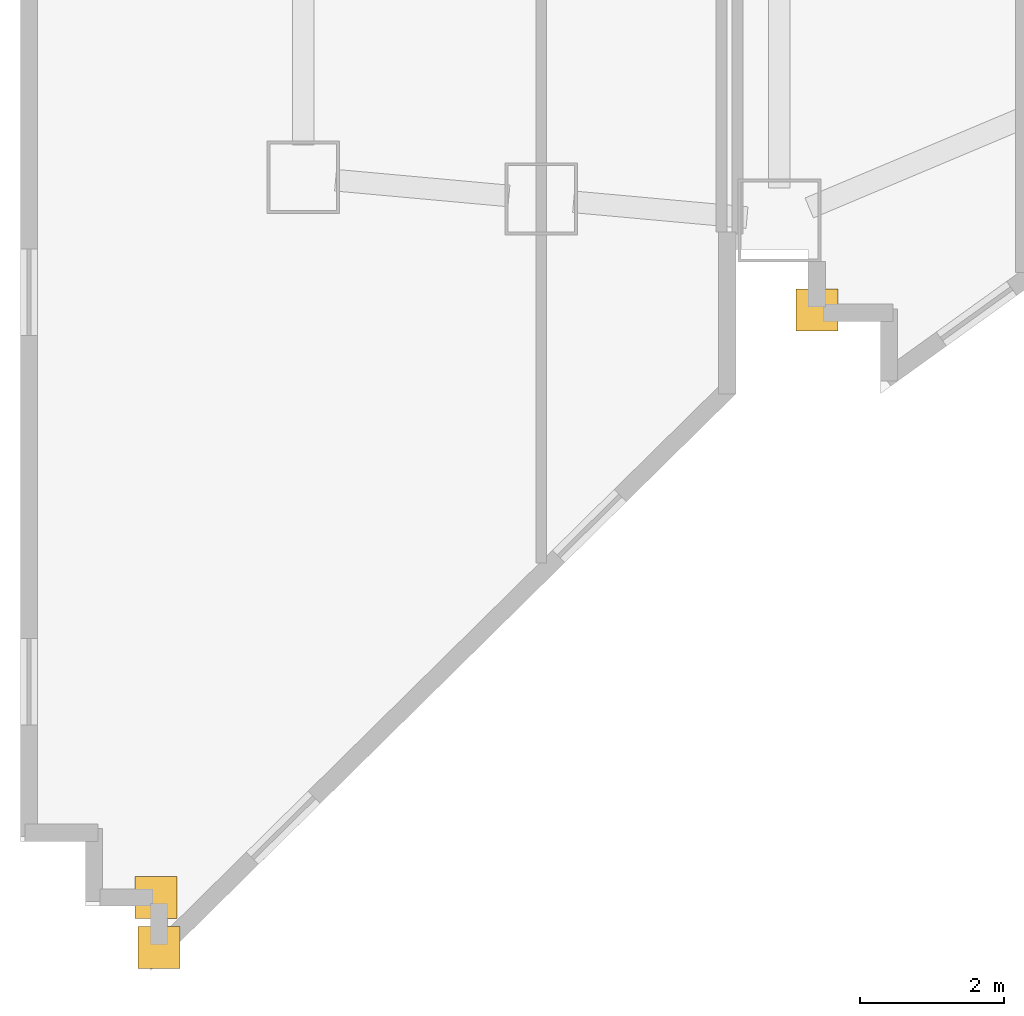
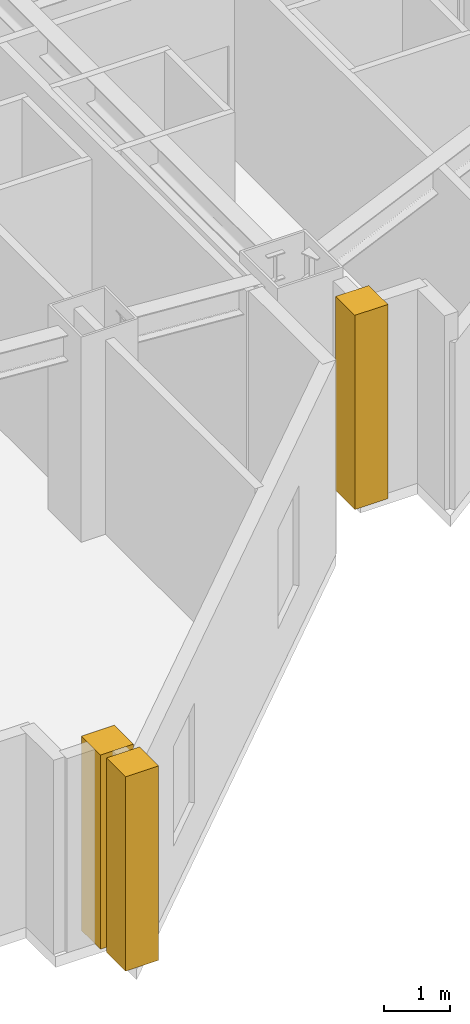
# One storey, part 12 of 16: 3 coverings.
"""IFC4 building model written with IfcOpenShell, lengths in metres."""

from ifc_helpers import new_model, si_unit, direction, frame, origin, origin_2d, place, context, subcontext, project, spatial, rectangle, extrude, material, layer, layer_set, type_object, element, save


model = new_model("IFC4")

# Units and contexts
model_context = context("Model", 3, precision=1e-05, world=origin(), true_north=direction((0.0, 1.0)))
body_context = subcontext(model_context, "Body", "Model", "MODEL_VIEW")
ifc_project = project(units=[si_unit("LENGTHUNIT", "METRE"), si_unit("AREAUNIT", "SQUARE_METRE"), si_unit("VOLUMEUNIT", "CUBIC_METRE"), si_unit("PLANEANGLEUNIT", "RADIAN"), si_unit("MASSUNIT", "GRAM", prefix="KILO")], contexts=[model_context])

# Site, building, storey
site_placement = place(None, origin())
site = spatial("IfcSite", under=ifc_project, at=site_placement, CompositionType="ELEMENT")
building_placement = place(site_placement, origin())
building = spatial("IfcBuilding", under=site, at=building_placement, Name="Haolan Belvedere Tower", CompositionType="ELEMENT")
storey_placement = place(building_placement, frame((0.0, 0.0, 47.60009765625)))
storey = spatial("IfcBuildingStorey", under=building, at=storey_placement, Name="L11", CompositionType="ELEMENT", Elevation=47.60009765625)

# Coverings
ifc_material = material(Name="Pale champagne-silver anodised aluminium rainscreen cladding", Category="aluminium")
ifc_layer = layer(ifc_material, 0.034912109375, Name="Pale champagne-silver anodised aluminium rainscreen cladding")
ifc_layer_set = layer_set([ifc_layer], Name="Pale champagne-silver anodised aluminium rainscreen cladding")
covering_type = type_object("IfcCoveringType", Name="COV-CLAD-35", PredefinedType="CLADDING", material=ifc_layer_set)
for number, where, z_axis, x_axis, name in (
    (1, (3.95751953125, 7.416015625, -0.000244140625), (0.0, 0.0, 1.0), (1.0, 0.0, 0.0), "L11 pale-metal serrated corner cladding trim 1"),
    (2, (4.0, 6.725341796875, -0.000244140625), (0.0, 0.0, 1.0), (1.0, 0.0, 0.0), "L11 pale-metal serrated corner cladding trim 2"),
    (3, (13.1201171875, 15.5625, -0.000244140625), (0.0, 0.0, 1.0), (1.0, 0.0, 0.0), "L11 pale-metal serrated corner cladding trim 3"),
):
    element("IfcCovering", number, at=place(storey_placement, frame(where, z_axis=z_axis, x_axis=x_axis)), inside=storey, type_object=covering_type, Name=name, PredefinedType="CLADDING", context=body_context, shape_type="SweptSolid", body=[
        extrude(rectangle(XDim=0.580078125, YDim=0.580078125, at=origin_2d()), origin(), (0.0, 0.0, 1.0), 3.60009765625),
    ])

save(model, "model.ifc")
